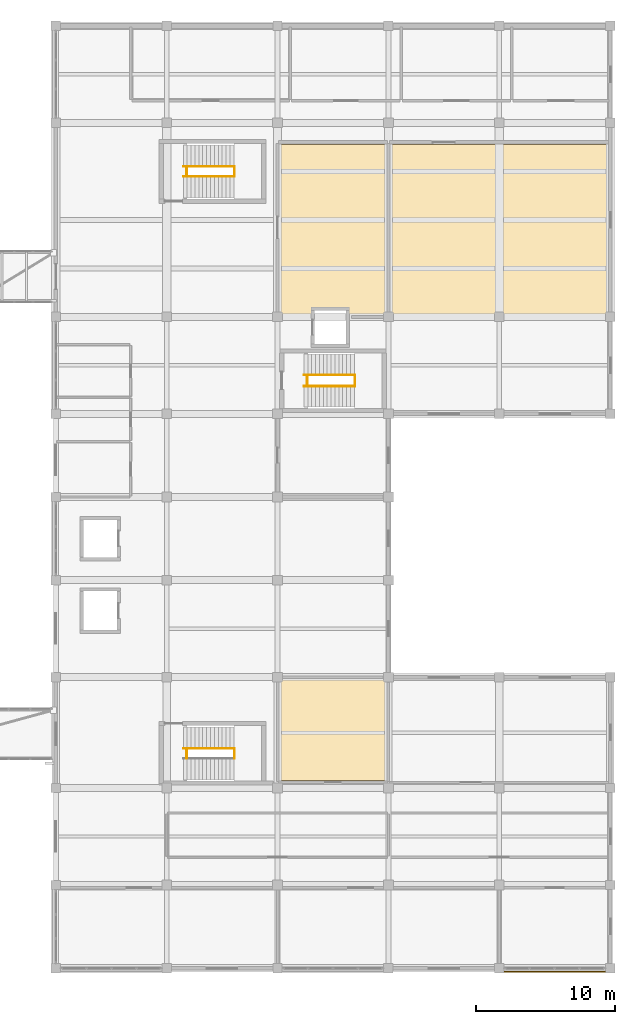
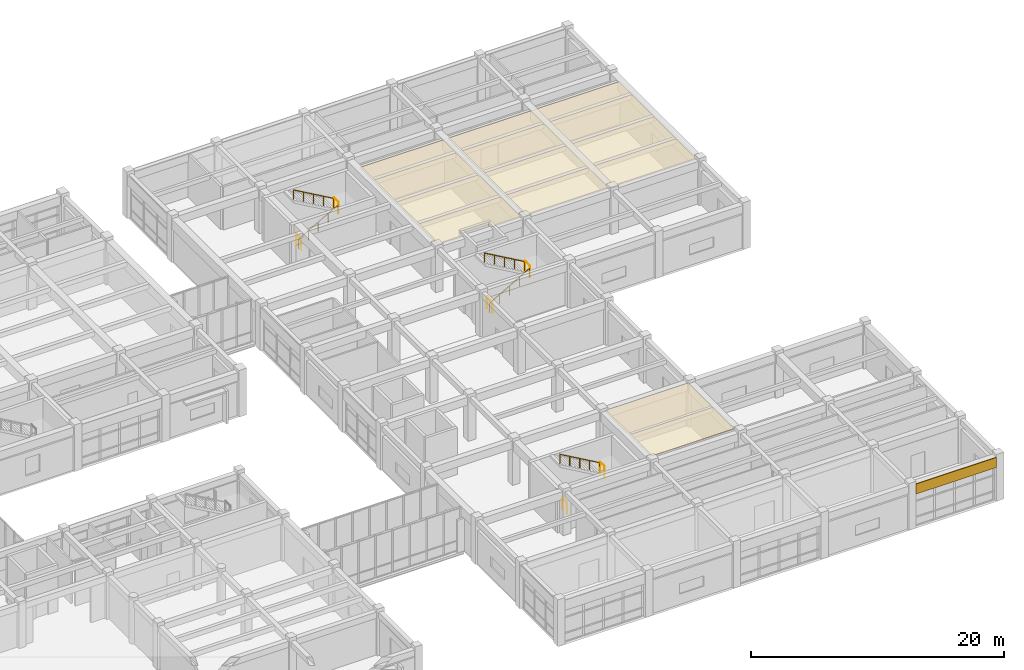
# One storey, part 71 of 72: 11 railings, 4 coverings.
"""IFC4 building model written with IfcOpenShell, lengths in metres."""

import ifcopenshell
import ifcopenshell.guid

model = None  # the IFC model being written
_history = None  # IfcOwnerHistory: only IFC2X3 demands one
_inside = {}  # id of a spatial element -> (the spatial element, [elements in it])
_under = {}  # id of a project, library or spatial element -> (it, [spatial elements below it])
_declared = {}  # id of a project -> (the project, [libraries it declares])
_typed = {}  # id of a type object -> (the type object, [elements of that type])
_made_of = {}  # id of a material, layer set ... -> (it, [elements and type objects made of it])


def new_model(schema):
    """Start an empty IFC model of exactly this schema.

    Asked for "IFC4X3", IfcOpenShell would pick the latest addendum, in which some entities
    have other attributes; the version numbers below select the first issue.
    IFC2X3 requires an IfcOwnerHistory on every rooted entity: one is made here for all.
    """
    global model, _history
    if schema == "IFC4X3":
        model = ifcopenshell.file(schema_version=(4, 3, 0, 0))
    else:
        model = ifcopenshell.file(schema=schema)
    _inside.clear()
    _under.clear()
    _declared.clear()
    _typed.clear()
    _made_of.clear()
    _history = None
    if model.schema == "IFC2X3":
        org = make("IfcOrganization", Name="unknown")
        user = make(
            "IfcPersonAndOrganization",
            ThePerson=make("IfcPerson", FamilyName="unknown"),
            TheOrganization=org,
        )
        app = make(
            "IfcApplication",
            ApplicationDeveloper=org,
            Version="unknown",
            ApplicationFullName="unknown",
            ApplicationIdentifier="unknown",
        )
        _history = make(
            "IfcOwnerHistory",
            OwningUser=user,
            OwningApplication=app,
            ChangeAction="ADDED",
            CreationDate=0,
        )
    return model


def make(cls, **values):
    """One entity of the class cls with the attributes given. An attribute that is None is left unset."""
    return model.create_entity(
        cls, **{name: value for name, value in values.items() if value is not None}
    )


def rooted(cls, **values):
    """An entity with a GlobalId (a new one), such as an element, a storey or a relation."""
    return make(cls, GlobalId=ifcopenshell.guid.new(), OwnerHistory=_history, **values)


def si_unit(unit_type, name, prefix=None):
    """IfcSIUnit, for example si_unit("LENGTHUNIT", "METRE", prefix="MILLI")."""
    return make("IfcSIUnit", UnitType=unit_type, Prefix=prefix, Name=name)


def assignment(units):
    """IfcUnitAssignment: the units of a project."""
    return None if units is None else make("IfcUnitAssignment", Units=units)


def point(xyz):
    """IfcCartesianPoint."""
    return None if xyz is None else make("IfcCartesianPoint", Coordinates=xyz)


def direction(xyz):
    """IfcDirection."""
    return None if xyz is None else make("IfcDirection", DirectionRatios=xyz)


def frame(location, z_axis=None, x_axis=None):
    """IfcAxis2Placement3D, a coordinate frame: its origin and axes. An axis left out is left unset."""
    return make(
        "IfcAxis2Placement3D",
        Location=point(location),
        Axis=direction(z_axis),
        RefDirection=direction(x_axis),
    )


def frame_2d(location, x_axis=None):
    """IfcAxis2Placement2D, a coordinate frame in the plane: its origin and x axis."""
    return make(
        "IfcAxis2Placement2D", Location=point(location), RefDirection=direction(x_axis)
    )


def origin():
    """The frame at (0, 0, 0) with its axes left unset."""
    return frame((0.0, 0.0, 0.0))


def origin_2d():
    """The frame at (0, 0) in the plane with its x axis left unset."""
    return frame_2d((0.0, 0.0))


def place(relative_to, where):
    """IfcLocalPlacement: puts the frame where relative to a parent placement (None: the world)."""
    return make(
        "IfcLocalPlacement", PlacementRelTo=relative_to, RelativePlacement=where
    )


def context(
    kind, dimensions, precision=None, world=None, true_north=None, identifier=None
):
    """IfcGeometricRepresentationContext, for example the 3D "Model" context."""
    return make(
        "IfcGeometricRepresentationContext",
        ContextIdentifier=identifier,
        ContextType=kind,
        CoordinateSpaceDimension=dimensions,
        Precision=precision,
        WorldCoordinateSystem=world,
        TrueNorth=true_north,
    )


def subcontext(parent, identifier, kind, view, scale=None):
    """IfcGeometricRepresentationSubContext, for example "Body" below "Model"."""
    return make(
        "IfcGeometricRepresentationSubContext",
        ContextIdentifier=identifier,
        ContextType=kind,
        ParentContext=parent,
        TargetScale=scale,
        TargetView=view,
    )


def project(units=None, contexts=None):
    """IfcProject with its units and contexts."""
    return rooted(
        "IfcProject",
        Name="project",
        RepresentationContexts=contexts,
        UnitsInContext=assignment(units),
    )


def spatial(cls, under=None, at=None, **own):
    """A site, building, storey or space (cls), placed at a placement, below another one or the project."""
    s = rooted(cls, ObjectPlacement=at, **own)
    if under is not None:
        _under.setdefault(under.id(), (under, []))[1].append(s)
    return s


def polyline(points):
    """IfcPolyline through the points."""
    return make("IfcPolyline", Points=[point(p) for p in points])


def profile(cls, at=None, kind="AREA", **sizes):
    """A parametric profile (cls). Its sizes go by their IFC names, for example OverallWidth=200.0."""
    return make(cls, ProfileType=kind, Position=at, **sizes)


def rectangle(**sizes):
    """IfcRectangleProfileDef."""
    return profile("IfcRectangleProfileDef", **sizes)


def circle(**sizes):
    """IfcCircleProfileDef."""
    return profile("IfcCircleProfileDef", **sizes)


def outline(outer, holes=None, kind="AREA"):
    """IfcArbitraryClosedProfileDef: a profile drawn as a closed curve; with holes, ...WithVoids."""
    if holes is None:
        return make("IfcArbitraryClosedProfileDef", ProfileType=kind, OuterCurve=outer)
    return make(
        "IfcArbitraryProfileDefWithVoids",
        ProfileType=kind,
        OuterCurve=outer,
        InnerCurves=holes,
    )


def extrude(swept, where, along, depth):
    """IfcExtrudedAreaSolid: the profile swept, set in the frame where, extruded along a direction by depth."""
    return make(
        "IfcExtrudedAreaSolid",
        SweptArea=swept,
        Position=where,
        ExtrudedDirection=direction(along),
        Depth=depth,
    )


def shape(context_of_items, identifier, shape_type, items):
    """IfcShapeRepresentation: the items that make up one representation, for example the "Body"."""
    return make(
        "IfcShapeRepresentation",
        ContextOfItems=context_of_items,
        RepresentationIdentifier=identifier,
        RepresentationType=shape_type,
        Items=items,
    )


def material(Name=None, Category=None):
    """IfcMaterial."""
    return make("IfcMaterial", Name=Name, Category=Category)


def layer(
    of_material, thickness, ventilated=None, Name=None, Category=None, Priority=None
):
    """IfcMaterialLayer: one layer of a wall or slab, of a material (None: an air gap)."""
    return make(
        "IfcMaterialLayer",
        Material=of_material,
        LayerThickness=thickness,
        IsVentilated=ventilated,
        Name=Name,
        Category=Category,
        Priority=Priority,
    )


def layer_set(layers, Name=None):
    """IfcMaterialLayerSet."""
    return make("IfcMaterialLayerSet", MaterialLayers=layers, LayerSetName=Name)


def made_of(thing, what):
    """Note that an element or type object is made of a material, layer set ...; save() writes the relation."""
    if what is not None:
        _made_of.setdefault(what.id(), (what, []))[1].append(thing)
    return thing


def type_object(cls, material=None, **own):
    """A type object (cls), such as IfcWallType, which elements share."""
    return made_of(rooted(cls, **own), material)


def element(
    cls,
    number,
    at=None,
    inside=None,
    cuts=None,
    type_object=None,
    material=None,
    context=None,
    identifier="Body",
    shape_type=None,
    held_by="IfcProductDefinitionShape",
    body=None,
    shapes=None,
    **own,
):
    """One element of the class cls, such as IfcWall. Its Tag is "e" and its number.

    at: its placement. inside: the storey or other place that contains it. cuts: it is an
    opening in that element (IfcRelVoidsElement). A single representation is given by context,
    identifier, shape_type and body (its items); several are given by shapes. held_by: the class
    of the entity that holds the representations. save() writes the other relations.
    """
    e = rooted(cls, Tag="e%d" % number, ObjectPlacement=at, **own)
    if body is not None:
        shapes = [shape(context, identifier, shape_type, body)]
    if shapes is not None:
        e.Representation = make(held_by, Representations=shapes)
    if inside is not None:
        _inside.setdefault(inside.id(), (inside, []))[1].append(e)
    if cuts is not None:
        rooted(
            "IfcRelVoidsElement", RelatingBuildingElement=cuts, RelatedOpeningElement=e
        )
    if type_object is not None:
        _typed.setdefault(type_object.id(), (type_object, []))[1].append(e)
    return made_of(e, material)


def aggregate(whole, parts):
    """IfcRelAggregates: a whole, such as a stair, and the parts it consists of."""
    return rooted("IfcRelAggregates", RelatingObject=whole, RelatedObjects=parts)


def save(model, path):
    """Write the relations noted so far, then the file.

    IfcRelAggregates (storeys below a building ...), IfcRelContainedInSpatialStructure (elements
    in a storey), IfcRelDefinesByType, IfcRelAssociatesMaterial and IfcRelDeclares: one each for
    every whole, place, type object, material and project.
    """
    for whole, parts in _under.values():
        aggregate(whole, parts)
    for where, things in _inside.values():
        rooted(
            "IfcRelContainedInSpatialStructure",
            RelatedElements=things,
            RelatingStructure=where,
        )
    for kind, things in _typed.values():
        rooted("IfcRelDefinesByType", RelatedObjects=things, RelatingType=kind)
    for what, things in _made_of.values():
        rooted("IfcRelAssociatesMaterial", RelatedObjects=things, RelatingMaterial=what)
    for by, libraries in _declared.values():
        rooted("IfcRelDeclares", RelatingContext=by, RelatedDefinitions=libraries)
    model.write(path)


model = new_model("IFC4")

# Units and contexts
model_context = context("Model", 3, precision=1e-05, world=origin(), true_north=direction((0.0, 1.0)))
body_context = subcontext(model_context, "Body", "Model", "MODEL_VIEW")
ifc_project = project(units=[si_unit("LENGTHUNIT", "METRE"), si_unit("AREAUNIT", "SQUARE_METRE"), si_unit("VOLUMEUNIT", "CUBIC_METRE"), si_unit("PLANEANGLEUNIT", "RADIAN"), si_unit("MASSUNIT", "GRAM", prefix="KILO")], contexts=[model_context])

# Site, building, storey
site_placement = place(None, origin())
site = spatial("IfcSite", under=ifc_project, at=site_placement, CompositionType="ELEMENT")
building_placement = place(site_placement, origin())
building = spatial("IfcBuilding", under=site, at=building_placement, Name="Naurynzar Civic Courthouse", CompositionType="ELEMENT")
storey_placement = place(building_placement, frame((0.0, 0.0, 9.89990234375)))
storey = spatial("IfcBuildingStorey", under=building, at=storey_placement, Name="L03", CompositionType="ELEMENT", Elevation=9.89990234375)

# Coverings
ifc_material_1 = material(Name="Acoustic Oak Timber Grade A", Category="wood")
ifc_layer_1 = layer(ifc_material_1, 0.044921875)
ifc_layer_set_1 = layer_set([ifc_layer_1], Name="CEIL-ACOUSTIC-OAK-45")
covering_type_1 = type_object("IfcCoveringType", Name="CEIL-ACOUSTIC-OAK-45", PredefinedType="CEILING", material=ifc_layer_set_1)
covering_1_placement = place(storey_placement, frame((0.0, 0.0, 4.114990234375)))
element("IfcCovering", 1, at=covering_1_placement, inside=storey, type_object=covering_type_1, Name="Acoustic suspended ceiling Criminal Trial Courtroom L03-N1", PredefinedType="CEILING", context=body_context, shape_type="SweptSolid", body=[
    extrude(outline(polyline([(151.070068359375, 51.159912109375), (151.070068359375, 51.570068359375), (148.530029296875, 51.570068359375), (148.530029296875, 51.159912109375), (146.159912109375, 51.159912109375), (146.159912109375, 63.43994140625), (153.840087890625, 63.43994140625), (153.840087890625, 51.159912109375), (151.070068359375, 51.159912109375)])), origin(), (0.0, 0.0, 1.0), 0.045166015625),
])
covering_2_placement = place(storey_placement, frame((0.0, 0.0, 4.114990234375)))
element("IfcCovering", 2, at=covering_2_placement, inside=storey, type_object=covering_type_1, Name="Acoustic suspended ceiling Criminal Trial Courtroom L03-N2", PredefinedType="CEILING", context=body_context, shape_type="SweptSolid", body=[
    extrude(outline(polyline([(154.159912109375, 51.159912109375), (154.159912109375, 63.43994140625), (169.840087890625, 63.43994140625), (169.840087890625, 51.159912109375), (154.159912109375, 51.159912109375)])), origin(), (0.0, 0.0, 1.0), 0.045166015625),
])
ifc_material_2 = material(Name="Mineral Fibre Acoustic Ceiling")
ifc_layer_2 = layer(ifc_material_2, 0.030029296875)
ifc_layer_set_2 = layer_set([ifc_layer_2], Name="CEIL-MINERAL-30")
covering_type_2 = type_object("IfcCoveringType", Name="CEIL-MINERAL-30", PredefinedType="CEILING", material=ifc_layer_set_2)
covering_3_placement = place(storey_placement, frame((0.0, 0.0, 4.114990234375)))
element("IfcCovering", 3, at=covering_3_placement, inside=storey, type_object=covering_type_2, Name="Acoustic suspended ceiling Jury Room L03-S", PredefinedType="CEILING", context=body_context, shape_type="SweptSolid", body=[
    extrude(outline(polyline([(146.159912109375, 17.56005859375), (146.159912109375, 24.840087890625), (153.840087890625, 24.840087890625), (153.840087890625, 17.56005859375), (146.159912109375, 17.56005859375)])), origin(), (0.0, 0.0, 1.0), 0.030029296875),
])
ifc_material_3 = material(Name="Precast concrete C40/50", Category="concrete")
ifc_layer_3 = layer(ifc_material_3, 0.080078125)
ifc_layer_set_3 = layer_set([ifc_layer_3], Name="COV-CLAD-PRECAST-80")
covering_type_3 = type_object("IfcCoveringType", Name="COV-CLAD-PRECAST-80", PredefinedType="CLADDING", material=ifc_layer_set_3)
covering_4_placement = place(storey_placement, frame((166.0, 3.7451171875, 3.22998046875), z_axis=(0.0, 0.0, 1.0), x_axis=(-1.0, 0.0, 0.0)))
element("IfcCovering", 4, at=covering_4_placement, inside=storey, type_object=covering_type_3, Name="V5 precast spandrel cladding 94", PredefinedType="CLADDING", context=body_context, shape_type="SweptSolid", body=[
    extrude(rectangle(XDim=7.324951171875, YDim=0.080078125, at=origin_2d()), origin(), (0.0, 0.0, 1.0), 0.969970703125),
])

# Railings
ifc_material_4 = material(Name="Brushed Stainless Steel 304", Category="steel")
railing_type_1 = type_object("IfcRailingType", Name="RAIL-BAL-1100", PredefinedType="BALUSTRADE", material=ifc_material_4)
for number, where, name in (
    (5, (139.43994140625, 19.139892578125, 0.0), "Stair ST-V5A floor well slot guard L03"),
    (6, (142.8798828125, 19.139892578125, 2.25), "Stair ST-V5A-L03 half-landing well guard"),
    (7, (139.43994140625, 61.139892578125, 0.0), "Stair ST-V5B floor well slot guard L03"),
    (8, (142.8798828125, 61.139892578125, 2.25), "Stair ST-V5B-L03 half-landing well guard"),
):
    element("IfcRailing", number, at=place(storey_placement, frame(where)), inside=storey, type_object=railing_type_1, Name=name, PredefinedType="BALUSTRADE", context=body_context, shape_type="SweptSolid", body=[
        extrude(circle(Radius=0.02392578125, at=origin_2d()), frame((0.0, 0.0, 1.09619140625), z_axis=(0.0, 1.0, 0.0), x_axis=(-1.0, 0.0, 0.0)), (0.0, 0.0, 1.0), 0.72021484375),
        extrude(circle(Radius=0.02099609375, at=origin_2d()), origin(), (0.0, 0.0, 1.0), 1.072021484375),
        extrude(circle(Radius=0.02099609375, at=origin_2d()), frame((0.0, 0.72021484375, 0.0)), (0.0, 0.0, 1.0), 1.072021484375),
    ])
for number, where, name in (
    (9, (148.139892578125, 45.989990234375, 0.0), "Stair ST-CUS floor well slot guard L03"),
    (10, (151.580078125, 45.989990234375, 2.25), "Stair ST-CUS-L03 half-landing well guard"),
):
    element("IfcRailing", number, at=place(storey_placement, frame(where)), inside=storey, type_object=railing_type_1, Name=name, PredefinedType="BALUSTRADE", context=body_context, shape_type="SweptSolid", body=[
        extrude(circle(Radius=0.02392578125, at=origin_2d()), frame((0.0, 0.0, 1.09619140625), z_axis=(0.0, 1.0, 0.0), x_axis=(-1.0, 0.0, 0.0)), (0.0, 0.0, 1.0), 0.820068359375),
        extrude(circle(Radius=0.02099609375, at=origin_2d()), origin(), (0.0, 0.0, 1.0), 1.072021484375),
        extrude(circle(Radius=0.02099609375, at=origin_2d()), frame((0.0, 0.820068359375, 0.0)), (0.0, 0.0, 1.0), 1.072021484375),
    ])
ifc_material_5 = material(Name="Brushed Stainless Steel 304", Category="steel")
railing_type_2 = type_object("IfcRailingType", Name="RAIL-HR-900", PredefinedType="HANDRAIL", material=ifc_material_5)
railing_1_placement = place(storey_placement, frame((142.840087890625, 19.860107421875, 2.410888671875)))
element("IfcRailing", 11, at=railing_1_placement, inside=storey, type_object=railing_type_2, Name="Stair ST-V5A-L03 flight 2 handrail", PredefinedType="HANDRAIL", context=body_context, shape_type="SweptSolid", body=[
    extrude(circle(Radius=0.02392578125, at=origin_2d()), frame((0.0, 0.0, 0.8759765625), z_axis=(-0.867314486057, 0.0, 0.497760567216), x_axis=(0.0, -1.0, 0.0)), (0.0, 0.0, 1.0), 4.197021484375),
    extrude(circle(Radius=0.02099609375, at=origin_2d()), origin(), (0.0, 0.0, 1.0), 0.851806640625),
    extrude(circle(Radius=0.02099609375, at=origin_2d()), frame((-0.91015625, 0.0, 0.522216796875)), (0.0, 0.0, 1.0), 0.851806640625),
    extrude(circle(Radius=0.02099609375, at=origin_2d()), frame((-1.820068359375, 0.0, 1.04443359375)), (0.0, 0.0, 1.0), 0.851806640625),
    extrude(circle(Radius=0.02099609375, at=origin_2d()), frame((-2.72998046875, 0.0, 1.56689453125)), (0.0, 0.0, 1.0), 0.851806640625),
    extrude(circle(Radius=0.02099609375, at=origin_2d()), frame((-3.64013671875, 0.0, 2.089111328125)), (0.0, 0.0, 1.0), 0.851806640625),
])
railing_2_placement = place(storey_placement, frame((139.199951171875, 61.139892578125, 0.160888671875)))
element("IfcRailing", 12, at=railing_2_placement, inside=storey, type_object=railing_type_2, Name="Stair ST-V5B-L03 flight 1 handrail", PredefinedType="HANDRAIL", context=body_context, shape_type="SweptSolid", body=[
    extrude(circle(Radius=0.02392578125, at=origin_2d()), frame((0.0, 0.0, 0.8759765625), z_axis=(0.867314486057, 0.0, 0.497760567216), x_axis=(0.0, 1.0, 0.0)), (0.0, 0.0, 1.0), 4.197021484375),
    extrude(circle(Radius=0.02099609375, at=origin_2d()), origin(), (0.0, 0.0, 1.0), 0.851806640625),
    extrude(circle(Radius=0.02099609375, at=origin_2d()), frame((0.91015625, 0.0, 0.522216796875)), (0.0, 0.0, 1.0), 0.851806640625),
    extrude(circle(Radius=0.02099609375, at=origin_2d()), frame((1.820068359375, 0.0, 1.04443359375)), (0.0, 0.0, 1.0), 0.851806640625),
    extrude(circle(Radius=0.02099609375, at=origin_2d()), frame((2.72998046875, 0.0, 1.56689453125)), (0.0, 0.0, 1.0), 0.851806640625),
    extrude(circle(Radius=0.02099609375, at=origin_2d()), frame((3.64013671875, 0.0, 2.089111328125)), (0.0, 0.0, 1.0), 0.851806640625),
])
railing_3_placement = place(storey_placement, frame((142.840087890625, 61.860107421875, 2.410888671875)))
element("IfcRailing", 13, at=railing_3_placement, inside=storey, type_object=railing_type_2, Name="Stair ST-V5B-L03 flight 2 handrail", PredefinedType="HANDRAIL", context=body_context, shape_type="SweptSolid", body=[
    extrude(circle(Radius=0.02392578125, at=origin_2d()), frame((0.0, 0.0, 0.8759765625), z_axis=(-0.867314486057, 0.0, 0.497760567216), x_axis=(0.0, -1.0, 0.0)), (0.0, 0.0, 1.0), 4.197021484375),
    extrude(circle(Radius=0.02099609375, at=origin_2d()), origin(), (0.0, 0.0, 1.0), 0.851806640625),
    extrude(circle(Radius=0.02099609375, at=origin_2d()), frame((-0.91015625, 0.0, 0.522216796875)), (0.0, 0.0, 1.0), 0.851806640625),
    extrude(circle(Radius=0.02099609375, at=origin_2d()), frame((-1.820068359375, 0.0, 1.04443359375)), (0.0, 0.0, 1.0), 0.851806640625),
    extrude(circle(Radius=0.02099609375, at=origin_2d()), frame((-2.72998046875, 0.0, 1.56689453125)), (0.0, 0.0, 1.0), 0.851806640625),
    extrude(circle(Radius=0.02099609375, at=origin_2d()), frame((-3.64013671875, 0.0, 2.089111328125)), (0.0, 0.0, 1.0), 0.851806640625),
])
railing_4_placement = place(storey_placement, frame((147.89990234375, 45.989990234375, 0.160888671875)))
element("IfcRailing", 14, at=railing_4_placement, inside=storey, type_object=railing_type_2, Name="Stair ST-CUS-L03 flight 1 handrail", PredefinedType="HANDRAIL", context=body_context, shape_type="SweptSolid", body=[
    extrude(circle(Radius=0.02392578125, at=origin_2d()), frame((0.0, 0.0, 0.8759765625), z_axis=(0.867314486057, 0.0, 0.497760567216), x_axis=(0.0, 1.0, 0.0)), (0.0, 0.0, 1.0), 4.197021484375),
    extrude(circle(Radius=0.02099609375, at=origin_2d()), origin(), (0.0, 0.0, 1.0), 0.851806640625),
    extrude(circle(Radius=0.02099609375, at=origin_2d()), frame((0.91015625, 0.0, 0.522216796875)), (0.0, 0.0, 1.0), 0.851806640625),
    extrude(circle(Radius=0.02099609375, at=origin_2d()), frame((1.820068359375, 0.0, 1.04443359375)), (0.0, 0.0, 1.0), 0.851806640625),
    extrude(circle(Radius=0.02099609375, at=origin_2d()), frame((2.72998046875, 0.0, 1.56689453125)), (0.0, 0.0, 1.0), 0.851806640625),
    extrude(circle(Radius=0.02099609375, at=origin_2d()), frame((3.64013671875, 0.0, 2.089111328125)), (0.0, 0.0, 1.0), 0.851806640625),
])
railing_5_placement = place(storey_placement, frame((151.5400390625, 46.81005859375, 2.410888671875)))
element("IfcRailing", 15, at=railing_5_placement, inside=storey, type_object=railing_type_2, Name="Stair ST-CUS-L03 flight 2 handrail", PredefinedType="HANDRAIL", context=body_context, shape_type="SweptSolid", body=[
    extrude(circle(Radius=0.02392578125, at=origin_2d()), frame((0.0, 0.0, 0.8759765625), z_axis=(-0.867314486057, 0.0, 0.497760567216), x_axis=(0.0, -1.0, 0.0)), (0.0, 0.0, 1.0), 4.197021484375),
    extrude(circle(Radius=0.02099609375, at=origin_2d()), origin(), (0.0, 0.0, 1.0), 0.851806640625),
    extrude(circle(Radius=0.02099609375, at=origin_2d()), frame((-0.91015625, 0.0, 0.522216796875)), (0.0, 0.0, 1.0), 0.851806640625),
    extrude(circle(Radius=0.02099609375, at=origin_2d()), frame((-1.820068359375, 0.0, 1.04443359375)), (0.0, 0.0, 1.0), 0.851806640625),
    extrude(circle(Radius=0.02099609375, at=origin_2d()), frame((-2.72998046875, 0.0, 1.56689453125)), (0.0, 0.0, 1.0), 0.851806640625),
    extrude(circle(Radius=0.02099609375, at=origin_2d()), frame((-3.64013671875, 0.0, 2.089111328125)), (0.0, 0.0, 1.0), 0.851806640625),
])

save(model, "model.ifc")
